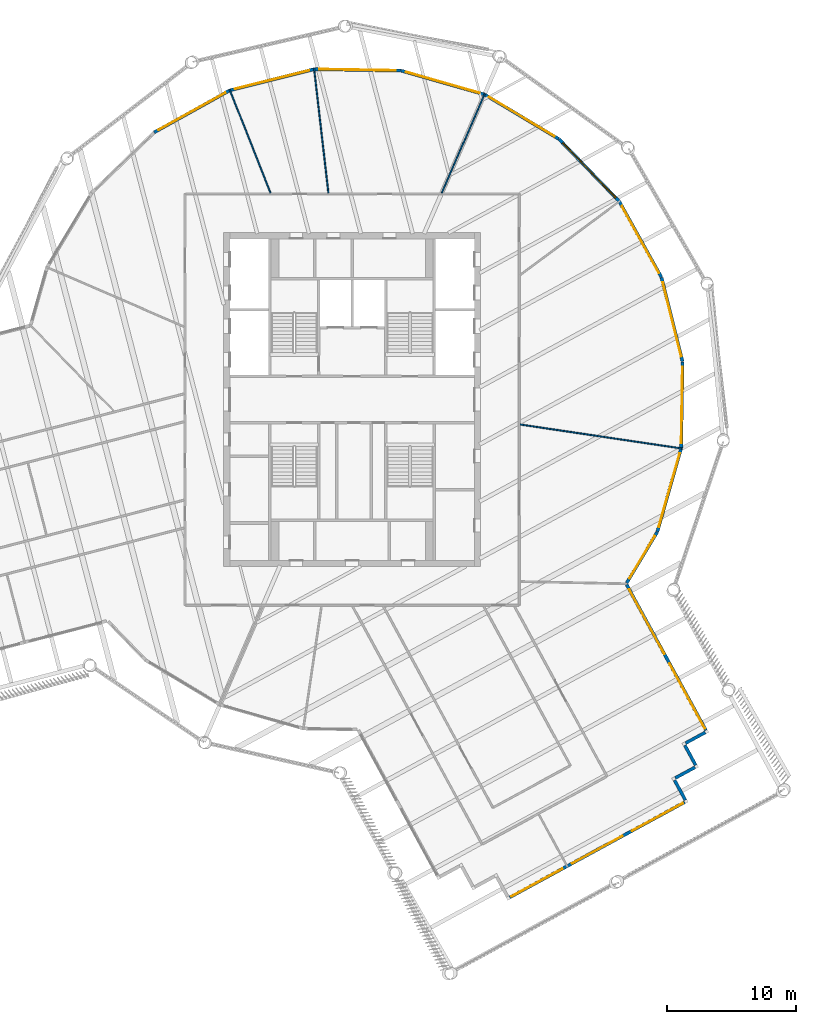
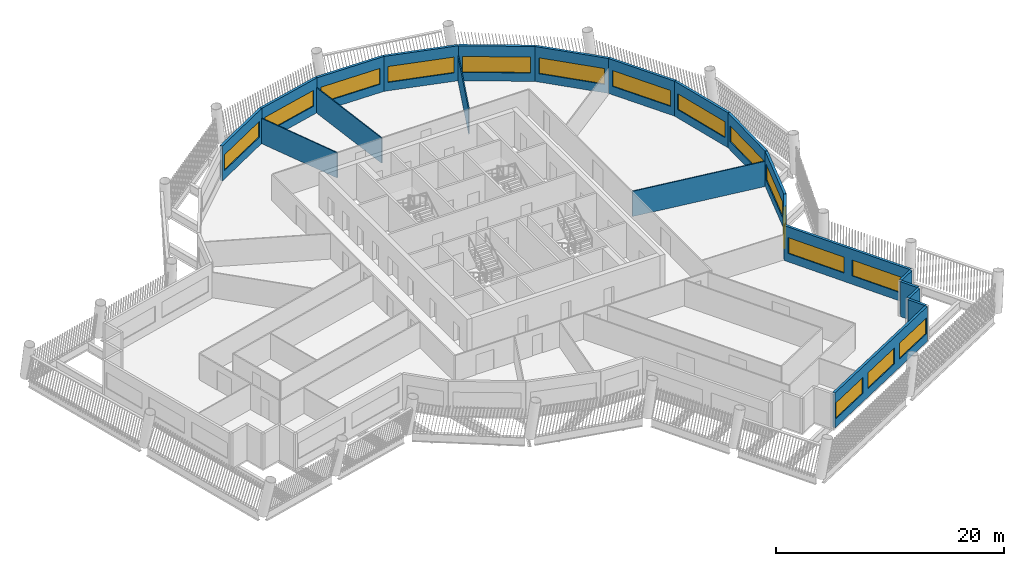
# One storey, part 6 of 14: 21 walls, 16 windows, 16 openings.
"""IFC4 building model written with IfcOpenShell, lengths in metres."""

from ifc_helpers import new_model, si_unit, direction, frame, frame_2d, origin, place, context, subcontext, project, spatial, rectangle, extrude, material, layer, layer_set, type_object, element, fill, save


model = new_model("IFC4")

# Units and contexts
model_context = context("Model", 3, precision=1e-05, world=origin(), true_north=direction((0.0, 1.0)))
body_context = subcontext(model_context, "Body", "Model", "MODEL_VIEW")
ifc_project = project(units=[si_unit("LENGTHUNIT", "METRE"), si_unit("AREAUNIT", "SQUARE_METRE"), si_unit("VOLUMEUNIT", "CUBIC_METRE"), si_unit("PLANEANGLEUNIT", "RADIAN"), si_unit("MASSUNIT", "GRAM", prefix="KILO")], contexts=[model_context])

# Site, building, storey
site_placement = place(None, origin())
site = spatial("IfcSite", under=ifc_project, at=site_placement, CompositionType="ELEMENT")
building_placement = place(site_placement, origin())
building = spatial("IfcBuilding", under=site, at=building_placement, Name="Tarsis Ring Headquarters", CompositionType="ELEMENT")
storey_placement = place(building_placement, frame((0.0, 0.0, 343.10009765625)))
storey = spatial("IfcBuildingStorey", under=building, at=storey_placement, Name="L81", CompositionType="ELEMENT", Elevation=343.10009765625)

# Walls
ifc_material_1 = material(Name="Gypsum board on steel studs", Category="steel")
ifc_layer_1 = layer(ifc_material_1, 0.10009765625)
ifc_layer_set_1 = layer_set([ifc_layer_1], Name="FL partition 100 unrated")
wall_type_1 = type_object("IfcWallType", Name="FL partition 100 unrated", PredefinedType="PARTITIONING", material=ifc_layer_set_1)
wall_1_placement = place(storey_placement, frame((13.069091796875, -1.939208984375, 0.0), z_axis=(0.0, 0.0, 1.0), x_axis=(0.989168542465, -0.146784176931, 0.0)))
element("IfcWall", 1, at=wall_1_placement, inside=storey, type_object=wall_type_1, Name="Partition PW3", PredefinedType="PARTITIONING", context=body_context, shape_type="SweptSolid", body=[
    extrude(rectangle(XDim=12.735595703125, YDim=0.10009765625, at=frame_2d((6.36767578125, 0.0))), origin(), (0.0, 0.0, 1.0), 2.699951171875),
])
wall_2_placement = place(storey_placement, frame((-2.96435546875, 25.778076171875, 0.0), z_axis=(0.0, 0.0, 1.0), x_axis=(0.11424480384, -0.99345262836, 0.0)))
element("IfcWall", 2, at=wall_2_placement, inside=storey, type_object=wall_type_1, Name="Partition PW3", PredefinedType="PARTITIONING", context=body_context, shape_type="SweptSolid", body=[
    extrude(rectangle(XDim=9.7724609375, YDim=0.10009765625, at=frame_2d((4.88623046875, 0.0))), origin(), (0.0, 0.0, 1.0), 2.699951171875),
])
wall_3_placement = place(storey_placement, frame((-9.53515625, 24.13232421875, 0.0), z_axis=(0.0, 0.0, 1.0), x_axis=(0.367476393928, -0.930032848831, 0.0)))
element("IfcWall", 3, at=wall_3_placement, inside=storey, type_object=wall_type_1, Name="Partition PW3", PredefinedType="PARTITIONING", context=body_context, shape_type="SweptSolid", body=[
    extrude(rectangle(XDim=8.6640625, YDim=0.10009765625, at=frame_2d((4.33203125, 0.0))), origin(), (0.0, 0.0, 1.0), 2.699951171875),
])
wall_4_placement = place(storey_placement, frame((6.968994140625, 16.073486328125, 0.0), z_axis=(0.0, 0.0, 1.0), x_axis=(0.397782198429, 0.917479875863, 0.0)))
element("IfcWall", 4, at=wall_4_placement, inside=storey, type_object=wall_type_1, Name="Partition PW3", PredefinedType="PARTITIONING", context=body_context, shape_type="SweptSolid", body=[
    extrude(rectangle(XDim=8.4287109375, YDim=0.10009765625, at=frame_2d((4.21435546875, 0.0))), origin(), (0.0, 0.0, 1.0), 2.699951171875),
])

# Wall, openings, windows
ifc_material_2 = material(Name="Terracotta clad insulated panel wall", Category="masonry")
ifc_layer_2 = layer(ifc_material_2, 0.25)
ifc_layer_set_2 = layer_set([ifc_layer_2], Name="Facade wall terracotta panel 250")
wall_type_2 = type_object("IfcWallType", Name="Facade wall terracotta panel 250", PredefinedType="STANDARD", material=ifc_layer_set_2)
wall_5_placement = place(storey_placement, frame((12.25634765625, -38.72802734375, 0.0), z_axis=(0.0, 0.0, 1.0), x_axis=(0.87832020185, 0.478072821881, 0.0)))
wall_5 = element("IfcWall", 5, at=wall_5_placement, inside=storey, type_object=wall_type_2, Name="External wall L81-11", PredefinedType="STANDARD", context=body_context, shape_type="SweptSolid", body=[
    extrude(rectangle(XDim=15.5, YDim=0.25, at=frame_2d((7.75, 0.0))), origin(), (0.0, 0.0, 1.0), 3.739990234375),
])
opening_1_placement = place(wall_5_placement, frame((0.166748046875, 0.0, 0.89990234375)))
opening_1 = element("IfcOpeningElement", 6, at=opening_1_placement, cuts=wall_5, Name="Opening WN04", PredefinedType="OPENING", context=body_context, shape_type="SweptSolid", body=[
    extrude(rectangle(XDim=4.5, YDim=1.699951171875, at=frame_2d((2.25, 0.85009765625))), frame((0.0, 0.135009765625, 0.0), z_axis=(0.0, -1.0, 0.0), x_axis=(1.0, 0.0, 0.0)), (0.0, 0.0, 1.0), 0.27001953125),
])
opening_2_placement = place(wall_5_placement, frame((5.5, 0.0, 0.89990234375)))
opening_2 = element("IfcOpeningElement", 7, at=opening_2_placement, cuts=wall_5, Name="Opening WN04", PredefinedType="OPENING", context=body_context, shape_type="SweptSolid", body=[
    extrude(rectangle(XDim=4.5, YDim=1.699951171875, at=frame_2d((2.25, 0.85009765625))), frame((0.0, 0.135009765625, 0.0), z_axis=(0.0, -1.0, 0.0), x_axis=(1.0, 0.0, 0.0)), (0.0, 0.0, 1.0), 0.27001953125),
])
opening_3_placement = place(wall_5_placement, frame((10.833251953125, 0.0, 0.89990234375)))
opening_3 = element("IfcOpeningElement", 8, at=opening_3_placement, cuts=wall_5, Name="Opening WN04", PredefinedType="OPENING", context=body_context, shape_type="SweptSolid", body=[
    extrude(rectangle(XDim=4.5, YDim=1.699951171875, at=frame_2d((2.25, 0.85009765625))), frame((0.0, 0.135009765625, 0.0), z_axis=(0.0, -1.0, 0.0), x_axis=(1.0, 0.0, 0.0)), (0.0, 0.0, 1.0), 0.27001953125),
])
ifc_material_3 = material(Name="Aluminium framed double glazing", Category="aluminium")
window_type_1 = type_object("IfcWindowType", Name="Facade window 4500 x 1700", PartitioningType="SINGLE_PANEL", PredefinedType="WINDOW", material=ifc_material_3)
window_1_placement = place(opening_1_placement, origin())
window_1 = element("IfcWindow", 9, at=window_1_placement, inside=storey, type_object=window_type_1, Name="Window L81-11.1", OverallHeight=1.699951171875, OverallWidth=4.5, PartitioningType="SINGLE_PANEL", PredefinedType="WINDOW", context=body_context, shape_type="SweptSolid", body=[
    extrude(rectangle(XDim=4.5, YDim=1.699951171875, at=frame_2d((2.25, 0.85009765625))), frame((0.0, 0.030029296875, 0.0), z_axis=(0.0, -1.0, 0.0), x_axis=(1.0, 0.0, 0.0)), (0.0, 0.0, 1.0), 0.06005859375),
])
fill(opening_1, window_1)
window_2_placement = place(opening_2_placement, origin())
window_2 = element("IfcWindow", 10, at=window_2_placement, inside=storey, type_object=window_type_1, Name="Window L81-11.2", OverallHeight=1.699951171875, OverallWidth=4.5, PartitioningType="SINGLE_PANEL", PredefinedType="WINDOW", context=body_context, shape_type="SweptSolid", body=[
    extrude(rectangle(XDim=4.5, YDim=1.699951171875, at=frame_2d((2.25, 0.85009765625))), frame((0.0, 0.030029296875, 0.0), z_axis=(0.0, -1.0, 0.0), x_axis=(1.0, 0.0, 0.0)), (0.0, 0.0, 1.0), 0.06005859375),
])
fill(opening_2, window_2)
window_3_placement = place(opening_3_placement, origin())
window_3 = element("IfcWindow", 11, at=window_3_placement, inside=storey, type_object=window_type_1, Name="Window L81-11.3", OverallHeight=1.699951171875, OverallWidth=4.5, PartitioningType="SINGLE_PANEL", PredefinedType="WINDOW", context=body_context, shape_type="SweptSolid", body=[
    extrude(rectangle(XDim=4.5, YDim=1.699951171875, at=frame_2d((2.25, 0.85009765625))), frame((0.0, 0.030029296875, 0.0), z_axis=(0.0, -1.0, 0.0), x_axis=(1.0, 0.0, 0.0)), (0.0, 0.0, 1.0), 0.06005859375),
])
fill(opening_3, window_3)

# Walls
for number, where, z_axis, x_axis, name in (
    (12, (25.92041015625, -31.148193359375, 0.0), (0.0, 0.0, 1.0), (-0.478079787053, 0.878316410647, 0.0), "External wall L81-12"),
    (13, (25.1337890625, -29.441650390625, 0.0), (0.0, 0.0, 1.0), (0.878316410647, 0.478079787053, 0.0), "External wall L81-13"),
    (14, (26.720947265625, -28.435546875, 0.0), (0.0, 0.0, 1.0), (-0.478079787053, 0.878316410647, 0.0), "External wall L81-14"),
):
    element("IfcWall", number, at=place(storey_placement, frame(where, z_axis=z_axis, x_axis=x_axis)), inside=storey, type_object=wall_type_2, Name=name, PredefinedType="STANDARD", context=body_context, shape_type="SweptSolid", body=[
        extrude(rectangle(XDim=1.75, YDim=0.25, at=frame_2d((0.875, 0.0))), origin(), (0.0, 0.0, 1.0), 3.739990234375),
    ])
wall_6_placement = place(storey_placement, frame((25.934326171875, -26.728759765625, 0.0), z_axis=(0.0, 0.0, 1.0), x_axis=(0.87828451974, 0.478138371588, 0.0)))
element("IfcWall", 15, at=wall_6_placement, inside=storey, type_object=wall_type_2, Name="External wall L81-15", PredefinedType="STANDARD", context=body_context, shape_type="SweptSolid", body=[
    extrude(rectangle(XDim=1.749755859375, YDim=0.25, at=frame_2d((0.875, 0.0))), origin(), (0.0, 0.0, 1.0), 3.739990234375),
])

# Wall, openings, windows
wall_7_placement = place(storey_placement, frame((27.521240234375, -25.72265625, 0.0), z_axis=(0.0, 0.0, 1.0), x_axis=(-0.47806835588, 0.878322632696, 0.0)))
wall_7 = element("IfcWall", 16, at=wall_7_placement, inside=storey, type_object=wall_type_2, Name="External wall L81-16", PredefinedType="STANDARD", context=body_context, shape_type="SweptSolid", body=[
    extrude(rectangle(XDim=12.9013671875, YDim=0.25, at=frame_2d((6.45068359375, 0.0))), origin(), (0.0, 0.0, 1.0), 3.739990234375),
])
opening_4_placement = place(wall_7_placement, frame((0.162841796875, 0.0, 0.89990234375)))
opening_4 = element("IfcOpeningElement", 17, at=opening_4_placement, cuts=wall_7, Name="Opening WN06", PredefinedType="OPENING", context=body_context, shape_type="SweptSolid", body=[
    extrude(rectangle(XDim=5.75, YDim=1.699951171875, at=frame_2d((2.875, 0.85009765625))), frame((0.0, 0.135009765625, 0.0), z_axis=(0.0, -1.0, 0.0), x_axis=(1.0, 0.0, 0.0)), (0.0, 0.0, 1.0), 0.27001953125),
])
opening_5_placement = place(wall_7_placement, frame((6.738525390625, 0.0, 0.89990234375)))
opening_5 = element("IfcOpeningElement", 18, at=opening_5_placement, cuts=wall_7, Name="Opening WN06", PredefinedType="OPENING", context=body_context, shape_type="SweptSolid", body=[
    extrude(rectangle(XDim=5.75, YDim=1.699951171875, at=frame_2d((2.875, 0.85009765625))), frame((0.0, 0.135009765625, 0.0), z_axis=(0.0, -1.0, 0.0), x_axis=(1.0, 0.0, 0.0)), (0.0, 0.0, 1.0), 0.27001953125),
])
window_type_2 = type_object("IfcWindowType", Name="Facade window 5750 x 1700", PartitioningType="SINGLE_PANEL", PredefinedType="WINDOW", material=ifc_material_3)
window_4_placement = place(opening_4_placement, origin())
window_4 = element("IfcWindow", 19, at=window_4_placement, inside=storey, type_object=window_type_2, Name="Window L81-16.1", OverallHeight=1.699951171875, OverallWidth=5.75, PartitioningType="SINGLE_PANEL", PredefinedType="WINDOW", context=body_context, shape_type="SweptSolid", body=[
    extrude(rectangle(XDim=5.75, YDim=1.699951171875, at=frame_2d((2.875, 0.85009765625))), frame((0.0, 0.030029296875, 0.0), z_axis=(0.0, -1.0, 0.0), x_axis=(1.0, 0.0, 0.0)), (0.0, 0.0, 1.0), 0.06005859375),
])
fill(opening_4, window_4)
window_5_placement = place(opening_5_placement, origin())
window_5 = element("IfcWindow", 20, at=window_5_placement, inside=storey, type_object=window_type_2, Name="Window L81-16.2", OverallHeight=1.699951171875, OverallWidth=5.75, PartitioningType="SINGLE_PANEL", PredefinedType="WINDOW", context=body_context, shape_type="SweptSolid", body=[
    extrude(rectangle(XDim=5.75, YDim=1.699951171875, at=frame_2d((2.875, 0.85009765625))), frame((0.0, 0.030029296875, 0.0), z_axis=(0.0, -1.0, 0.0), x_axis=(1.0, 0.0, 0.0)), (0.0, 0.0, 1.0), 0.06005859375),
])
fill(opening_5, window_5)

# Wall, opening, window
wall_8_placement = place(storey_placement, frame((21.35595703125, -14.26708984375, 0.0), z_axis=(0.0, 0.0, 1.0), x_axis=(0.514153619229, 0.857698114627, 0.0)))
wall_8 = element("IfcWall", 21, at=wall_8_placement, inside=storey, type_object=wall_type_2, Name="External wall L81-17", PredefinedType="STANDARD", context=body_context, shape_type="SweptSolid", body=[
    extrude(rectangle(XDim=4.617919921875, YDim=0.25, at=frame_2d((2.30908203125, 0.0))), origin(), (0.0, 0.0, 1.0), 3.739990234375),
])
opening_6_placement = place(wall_8_placement, frame((0.400390625, 0.0, 0.89990234375)))
opening_6 = element("IfcOpeningElement", 22, at=opening_6_placement, cuts=wall_8, Name="Opening WN02", PredefinedType="OPENING", context=body_context, shape_type="SweptSolid", body=[
    extrude(rectangle(XDim=3.85009765625, YDim=1.699951171875, at=frame_2d((1.925048828125, 0.85009765625))), frame((0.0, 0.135009765625, 0.0), z_axis=(0.0, -1.0, 0.0), x_axis=(1.0, 0.0, 0.0)), (0.0, 0.0, 1.0), 0.27001953125),
])
window_type_3 = type_object("IfcWindowType", Name="Facade window 3850 x 1700", PartitioningType="SINGLE_PANEL", PredefinedType="WINDOW", material=ifc_material_3)
window_6_placement = place(opening_6_placement, origin())
window_6 = element("IfcWindow", 23, at=window_6_placement, inside=storey, type_object=window_type_3, Name="Window L81-17.1", OverallHeight=1.699951171875, OverallWidth=3.85009765625, PartitioningType="SINGLE_PANEL", PredefinedType="WINDOW", context=body_context, shape_type="SweptSolid", body=[
    extrude(rectangle(XDim=3.85009765625, YDim=1.699951171875, at=frame_2d((1.925048828125, 0.85009765625))), frame((0.0, 0.030029296875, 0.0), z_axis=(0.0, -1.0, 0.0), x_axis=(1.0, 0.0, 0.0)), (0.0, 0.0, 1.0), 0.06005859375),
])
fill(opening_6, window_6)

wall_9_placement = place(storey_placement, frame((23.7431640625, -10.276611328125, 0.0), z_axis=(0.0, 0.0, 1.0), x_axis=(0.274629979223, 0.961549985447, 0.0)))
wall_9 = element("IfcWall", 24, at=wall_9_placement, inside=storey, type_object=wall_type_2, Name="External wall L81-18", PredefinedType="STANDARD", context=body_context, shape_type="SweptSolid", body=[
    extrude(rectangle(XDim=6.7216796875, YDim=0.25, at=frame_2d((3.36083984375, 0.0))), origin(), (0.0, 0.0, 1.0), 3.739990234375),
])
opening_7_placement = place(wall_9_placement, frame((0.3857421875, 0.0, 0.89990234375)))
opening_7 = element("IfcOpeningElement", 25, at=opening_7_placement, cuts=wall_9, Name="Opening WN07", PredefinedType="OPENING", context=body_context, shape_type="SweptSolid", body=[
    extrude(rectangle(XDim=5.949951171875, YDim=1.699951171875, at=frame_2d((2.97509765625, 0.85009765625))), frame((0.0, 0.135009765625, 0.0), z_axis=(0.0, -1.0, 0.0), x_axis=(1.0, 0.0, 0.0)), (0.0, 0.0, 1.0), 0.27001953125),
])
window_type_4 = type_object("IfcWindowType", Name="Facade window 5950 x 1700", PartitioningType="SINGLE_PANEL", PredefinedType="WINDOW", material=ifc_material_3)
window_7_placement = place(opening_7_placement, origin())
window_7 = element("IfcWindow", 26, at=window_7_placement, inside=storey, type_object=window_type_4, Name="Window L81-18.1", OverallHeight=1.699951171875, OverallWidth=5.949951171875, PartitioningType="SINGLE_PANEL", PredefinedType="WINDOW", context=body_context, shape_type="SweptSolid", body=[
    extrude(rectangle(XDim=5.949951171875, YDim=1.699951171875, at=frame_2d((2.97509765625, 0.85009765625))), frame((0.0, 0.030029296875, 0.0), z_axis=(0.0, -1.0, 0.0), x_axis=(1.0, 0.0, 0.0)), (0.0, 0.0, 1.0), 0.06005859375),
])
fill(opening_7, window_7)

wall_10_placement = place(storey_placement, frame((25.593994140625, -3.78125, 0.0), z_axis=(0.0, 0.0, 1.0), x_axis=(0.016417432492, 0.999865224873, 0.0)))
wall_10 = element("IfcWall", 27, at=wall_10_placement, inside=storey, type_object=wall_type_2, Name="External wall L81-19", PredefinedType="STANDARD", context=body_context, shape_type="SweptSolid", body=[
    extrude(rectangle(XDim=6.7216796875, YDim=0.25, at=frame_2d((3.36083984375, 0.0))), origin(), (0.0, 0.0, 1.0), 3.739990234375),
])
opening_8_placement = place(wall_10_placement, frame((0.3857421875, 0.0, 0.89990234375)))
opening_8 = element("IfcOpeningElement", 28, at=opening_8_placement, cuts=wall_10, Name="Opening WN07", PredefinedType="OPENING", context=body_context, shape_type="SweptSolid", body=[
    extrude(rectangle(XDim=5.949951171875, YDim=1.699951171875, at=frame_2d((2.97509765625, 0.85009765625))), frame((0.0, 0.135009765625, 0.0), z_axis=(0.0, -1.0, 0.0), x_axis=(1.0, 0.0, 0.0)), (0.0, 0.0, 1.0), 0.27001953125),
])
window_8_placement = place(opening_8_placement, origin())
window_8 = element("IfcWindow", 29, at=window_8_placement, inside=storey, type_object=window_type_4, Name="Window L81-19.1", OverallHeight=1.699951171875, OverallWidth=5.949951171875, PartitioningType="SINGLE_PANEL", PredefinedType="WINDOW", context=body_context, shape_type="SweptSolid", body=[
    extrude(rectangle(XDim=5.949951171875, YDim=1.699951171875, at=frame_2d((2.97509765625, 0.85009765625))), frame((0.0, 0.030029296875, 0.0), z_axis=(0.0, -1.0, 0.0), x_axis=(1.0, 0.0, 0.0)), (0.0, 0.0, 1.0), 0.06005859375),
])
fill(opening_8, window_8)

wall_11_placement = place(storey_placement, frame((25.700439453125, 2.971923828125, 0.0), z_axis=(0.0, 0.0, 1.0), x_axis=(-0.24292874903, 0.970044134509, 0.0)))
wall_11 = element("IfcWall", 30, at=wall_11_placement, inside=storey, type_object=wall_type_2, Name="External wall L81-20", PredefinedType="STANDARD", context=body_context, shape_type="SweptSolid", body=[
    extrude(rectangle(XDim=6.721435546875, YDim=0.25, at=frame_2d((3.36083984375, 0.0))), origin(), (0.0, 0.0, 1.0), 3.739990234375),
])
opening_9_placement = place(wall_11_placement, frame((0.3857421875, 0.0, 0.89990234375)))
opening_9 = element("IfcOpeningElement", 31, at=opening_9_placement, cuts=wall_11, Name="Opening WN07", PredefinedType="OPENING", context=body_context, shape_type="SweptSolid", body=[
    extrude(rectangle(XDim=5.949951171875, YDim=1.699951171875, at=frame_2d((2.97509765625, 0.85009765625))), frame((0.0, 0.135009765625, 0.0), z_axis=(0.0, -1.0, 0.0), x_axis=(1.0, 0.0, 0.0)), (0.0, 0.0, 1.0), 0.27001953125),
])
window_9_placement = place(opening_9_placement, origin())
window_9 = element("IfcWindow", 32, at=window_9_placement, inside=storey, type_object=window_type_4, Name="Window L81-20.1", OverallHeight=1.699951171875, OverallWidth=5.949951171875, PartitioningType="SINGLE_PANEL", PredefinedType="WINDOW", context=body_context, shape_type="SweptSolid", body=[
    extrude(rectangle(XDim=5.949951171875, YDim=1.699951171875, at=frame_2d((2.97509765625, 0.85009765625))), frame((0.0, 0.030029296875, 0.0), z_axis=(0.0, -1.0, 0.0), x_axis=(1.0, 0.0, 0.0)), (0.0, 0.0, 1.0), 0.06005859375),
])
fill(opening_9, window_9)

wall_12_placement = place(storey_placement, frame((24.0556640625, 9.5224609375, 0.0), z_axis=(0.0, 0.0, 1.0), x_axis=(-0.485741615798, 0.874102444043, 0.0)))
wall_12 = element("IfcWall", 33, at=wall_12_placement, inside=storey, type_object=wall_type_2, Name="External wall L81-21", PredefinedType="STANDARD", context=body_context, shape_type="SweptSolid", body=[
    extrude(rectangle(XDim=6.721435546875, YDim=0.25, at=frame_2d((3.36083984375, 0.0))), origin(), (0.0, 0.0, 1.0), 3.739990234375),
])
opening_10_placement = place(wall_12_placement, frame((0.3857421875, 0.0, 0.89990234375)))
opening_10 = element("IfcOpeningElement", 34, at=opening_10_placement, cuts=wall_12, Name="Opening WN07", PredefinedType="OPENING", context=body_context, shape_type="SweptSolid", body=[
    extrude(rectangle(XDim=5.949951171875, YDim=1.699951171875, at=frame_2d((2.97509765625, 0.85009765625))), frame((0.0, 0.135009765625, 0.0), z_axis=(0.0, -1.0, 0.0), x_axis=(1.0, 0.0, 0.0)), (0.0, 0.0, 1.0), 0.27001953125),
])
window_10_placement = place(opening_10_placement, origin())
window_10 = element("IfcWindow", 35, at=window_10_placement, inside=storey, type_object=window_type_4, Name="Window L81-21.1", OverallHeight=1.699951171875, OverallWidth=5.949951171875, PartitioningType="SINGLE_PANEL", PredefinedType="WINDOW", context=body_context, shape_type="SweptSolid", body=[
    extrude(rectangle(XDim=5.949951171875, YDim=1.699951171875, at=frame_2d((2.97509765625, 0.85009765625))), frame((0.0, 0.030029296875, 0.0), z_axis=(0.0, -1.0, 0.0), x_axis=(1.0, 0.0, 0.0)), (0.0, 0.0, 1.0), 0.06005859375),
])
fill(opening_10, window_10)

wall_13_placement = place(storey_placement, frame((20.771240234375, 15.424072265625, 0.0), z_axis=(0.0, 0.0, 1.0), x_axis=(-0.695406300858, 0.71861678016, 0.0)))
wall_13 = element("IfcWall", 36, at=wall_13_placement, inside=storey, type_object=wall_type_2, Name="External wall L81-22", PredefinedType="STANDARD", context=body_context, shape_type="SweptSolid", body=[
    extrude(rectangle(XDim=6.721435546875, YDim=0.25, at=frame_2d((3.36083984375, 0.0))), origin(), (0.0, 0.0, 1.0), 3.739990234375),
])
opening_11_placement = place(wall_13_placement, frame((0.3857421875, 0.0, 0.89990234375)))
opening_11 = element("IfcOpeningElement", 37, at=opening_11_placement, cuts=wall_13, Name="Opening WN07", PredefinedType="OPENING", context=body_context, shape_type="SweptSolid", body=[
    extrude(rectangle(XDim=5.949951171875, YDim=1.699951171875, at=frame_2d((2.97509765625, 0.85009765625))), frame((0.0, 0.135009765625, 0.0), z_axis=(0.0, -1.0, 0.0), x_axis=(1.0, 0.0, 0.0)), (0.0, 0.0, 1.0), 0.27001953125),
])
window_11_placement = place(opening_11_placement, origin())
window_11 = element("IfcWindow", 38, at=window_11_placement, inside=storey, type_object=window_type_4, Name="Window L81-22.1", OverallHeight=1.699951171875, OverallWidth=5.949951171875, PartitioningType="SINGLE_PANEL", PredefinedType="WINDOW", context=body_context, shape_type="SweptSolid", body=[
    extrude(rectangle(XDim=5.949951171875, YDim=1.699951171875, at=frame_2d((2.97509765625, 0.85009765625))), frame((0.0, 0.030029296875, 0.0), z_axis=(0.0, -1.0, 0.0), x_axis=(1.0, 0.0, 0.0)), (0.0, 0.0, 1.0), 0.06005859375),
])
fill(opening_11, window_11)

wall_14_placement = place(storey_placement, frame((16.071533203125, 20.2744140625, 0.0), z_axis=(0.0, 0.0, 1.0), x_axis=(-0.857707578117, 0.514137832144, 0.0)))
wall_14 = element("IfcWall", 39, at=wall_14_placement, inside=storey, type_object=wall_type_2, Name="External wall L81-23", PredefinedType="STANDARD", context=body_context, shape_type="SweptSolid", body=[
    extrude(rectangle(XDim=6.7216796875, YDim=0.25, at=frame_2d((3.36083984375, 0.0))), origin(), (0.0, 0.0, 1.0), 3.739990234375),
])
opening_12_placement = place(wall_14_placement, frame((0.3857421875, 0.0, 0.89990234375)))
opening_12 = element("IfcOpeningElement", 40, at=opening_12_placement, cuts=wall_14, Name="Opening WN07", PredefinedType="OPENING", context=body_context, shape_type="SweptSolid", body=[
    extrude(rectangle(XDim=5.949951171875, YDim=1.699951171875, at=frame_2d((2.97509765625, 0.85009765625))), frame((0.0, 0.135009765625, 0.0), z_axis=(0.0, -1.0, 0.0), x_axis=(1.0, 0.0, 0.0)), (0.0, 0.0, 1.0), 0.27001953125),
])
window_12_placement = place(opening_12_placement, origin())
window_12 = element("IfcWindow", 41, at=window_12_placement, inside=storey, type_object=window_type_4, Name="Window L81-23.1", OverallHeight=1.699951171875, OverallWidth=5.949951171875, PartitioningType="SINGLE_PANEL", PredefinedType="WINDOW", context=body_context, shape_type="SweptSolid", body=[
    extrude(rectangle(XDim=5.949951171875, YDim=1.699951171875, at=frame_2d((2.97509765625, 0.85009765625))), frame((0.0, 0.030029296875, 0.0), z_axis=(0.0, -1.0, 0.0), x_axis=(1.0, 0.0, 0.0)), (0.0, 0.0, 1.0), 0.06005859375),
])
fill(opening_12, window_12)

wall_15_placement = place(storey_placement, frame((10.276611328125, 23.7431640625, 0.0), z_axis=(0.0, 0.0, 1.0), x_axis=(-0.961549985447, 0.274629979223, 0.0)))
wall_15 = element("IfcWall", 42, at=wall_15_placement, inside=storey, type_object=wall_type_2, Name="External wall L81-24", PredefinedType="STANDARD", context=body_context, shape_type="SweptSolid", body=[
    extrude(rectangle(XDim=6.7216796875, YDim=0.25, at=frame_2d((3.36083984375, 0.0))), origin(), (0.0, 0.0, 1.0), 3.739990234375),
])
opening_13_placement = place(wall_15_placement, frame((0.3857421875, 0.0, 0.89990234375)))
opening_13 = element("IfcOpeningElement", 43, at=opening_13_placement, cuts=wall_15, Name="Opening WN07", PredefinedType="OPENING", context=body_context, shape_type="SweptSolid", body=[
    extrude(rectangle(XDim=5.949951171875, YDim=1.699951171875, at=frame_2d((2.97509765625, 0.85009765625))), frame((0.0, 0.135009765625, 0.0), z_axis=(0.0, -1.0, 0.0), x_axis=(1.0, 0.0, 0.0)), (0.0, 0.0, 1.0), 0.27001953125),
])
window_13_placement = place(opening_13_placement, origin())
window_13 = element("IfcWindow", 44, at=window_13_placement, inside=storey, type_object=window_type_4, Name="Window L81-24.1", OverallHeight=1.699951171875, OverallWidth=5.949951171875, PartitioningType="SINGLE_PANEL", PredefinedType="WINDOW", context=body_context, shape_type="SweptSolid", body=[
    extrude(rectangle(XDim=5.949951171875, YDim=1.699951171875, at=frame_2d((2.97509765625, 0.85009765625))), frame((0.0, 0.030029296875, 0.0), z_axis=(0.0, -1.0, 0.0), x_axis=(1.0, 0.0, 0.0)), (0.0, 0.0, 1.0), 0.06005859375),
])
fill(opening_13, window_13)

wall_16_placement = place(storey_placement, frame((3.78125, 25.593994140625, 0.0), z_axis=(0.0, 0.0, 1.0), x_axis=(-0.999865224873, 0.016417432492, 0.0)))
wall_16 = element("IfcWall", 45, at=wall_16_placement, inside=storey, type_object=wall_type_2, Name="External wall L81-25", PredefinedType="STANDARD", context=body_context, shape_type="SweptSolid", body=[
    extrude(rectangle(XDim=6.7216796875, YDim=0.25, at=frame_2d((3.36083984375, 0.0))), origin(), (0.0, 0.0, 1.0), 3.739990234375),
])
opening_14_placement = place(wall_16_placement, frame((0.3857421875, 0.0, 0.89990234375)))
opening_14 = element("IfcOpeningElement", 46, at=opening_14_placement, cuts=wall_16, Name="Opening WN07", PredefinedType="OPENING", context=body_context, shape_type="SweptSolid", body=[
    extrude(rectangle(XDim=5.949951171875, YDim=1.699951171875, at=frame_2d((2.97509765625, 0.85009765625))), frame((0.0, 0.135009765625, 0.0), z_axis=(0.0, -1.0, 0.0), x_axis=(1.0, 0.0, 0.0)), (0.0, 0.0, 1.0), 0.27001953125),
])
window_14_placement = place(opening_14_placement, origin())
window_14 = element("IfcWindow", 47, at=window_14_placement, inside=storey, type_object=window_type_4, Name="Window L81-25.1", OverallHeight=1.699951171875, OverallWidth=5.949951171875, PartitioningType="SINGLE_PANEL", PredefinedType="WINDOW", context=body_context, shape_type="SweptSolid", body=[
    extrude(rectangle(XDim=5.949951171875, YDim=1.699951171875, at=frame_2d((2.97509765625, 0.85009765625))), frame((0.0, 0.030029296875, 0.0), z_axis=(0.0, -1.0, 0.0), x_axis=(1.0, 0.0, 0.0)), (0.0, 0.0, 1.0), 0.06005859375),
])
fill(opening_14, window_14)

wall_17_placement = place(storey_placement, frame((-2.971923828125, 25.700439453125, 0.0), z_axis=(0.0, 0.0, 1.0), x_axis=(-0.970044134509, -0.24292874903, 0.0)))
wall_17 = element("IfcWall", 48, at=wall_17_placement, inside=storey, type_object=wall_type_2, Name="External wall L81-26", PredefinedType="STANDARD", context=body_context, shape_type="SweptSolid", body=[
    extrude(rectangle(XDim=6.721435546875, YDim=0.25, at=frame_2d((3.36083984375, 0.0))), origin(), (0.0, 0.0, 1.0), 3.739990234375),
])
opening_15_placement = place(wall_17_placement, frame((0.3857421875, 0.0, 0.89990234375)))
opening_15 = element("IfcOpeningElement", 49, at=opening_15_placement, cuts=wall_17, Name="Opening WN07", PredefinedType="OPENING", context=body_context, shape_type="SweptSolid", body=[
    extrude(rectangle(XDim=5.949951171875, YDim=1.699951171875, at=frame_2d((2.97509765625, 0.85009765625))), frame((0.0, 0.135009765625, 0.0), z_axis=(0.0, -1.0, 0.0), x_axis=(1.0, 0.0, 0.0)), (0.0, 0.0, 1.0), 0.27001953125),
])
window_15_placement = place(opening_15_placement, origin())
window_15 = element("IfcWindow", 50, at=window_15_placement, inside=storey, type_object=window_type_4, Name="Window L81-26.1", OverallHeight=1.699951171875, OverallWidth=5.949951171875, PartitioningType="SINGLE_PANEL", PredefinedType="WINDOW", context=body_context, shape_type="SweptSolid", body=[
    extrude(rectangle(XDim=5.949951171875, YDim=1.699951171875, at=frame_2d((2.97509765625, 0.85009765625))), frame((0.0, 0.030029296875, 0.0), z_axis=(0.0, -1.0, 0.0), x_axis=(1.0, 0.0, 0.0)), (0.0, 0.0, 1.0), 0.06005859375),
])
fill(opening_15, window_15)

wall_18_placement = place(storey_placement, frame((-9.5224609375, 24.0556640625, 0.0), z_axis=(0.0, 0.0, 1.0), x_axis=(-0.874102444043, -0.485741615798, 0.0)))
wall_18 = element("IfcWall", 51, at=wall_18_placement, inside=storey, type_object=wall_type_2, Name="External wall L81-27", PredefinedType="STANDARD", context=body_context, shape_type="SweptSolid", body=[
    extrude(rectangle(XDim=6.721435546875, YDim=0.25, at=frame_2d((3.36083984375, 0.0))), origin(), (0.0, 0.0, 1.0), 3.739990234375),
])
opening_16_placement = place(wall_18_placement, frame((0.3857421875, 0.0, 0.89990234375)))
opening_16 = element("IfcOpeningElement", 52, at=opening_16_placement, cuts=wall_18, Name="Opening WN07", PredefinedType="OPENING", context=body_context, shape_type="SweptSolid", body=[
    extrude(rectangle(XDim=5.949951171875, YDim=1.699951171875, at=frame_2d((2.97509765625, 0.85009765625))), frame((0.0, 0.135009765625, 0.0), z_axis=(0.0, -1.0, 0.0), x_axis=(1.0, 0.0, 0.0)), (0.0, 0.0, 1.0), 0.27001953125),
])
window_16_placement = place(opening_16_placement, origin())
window_16 = element("IfcWindow", 53, at=window_16_placement, inside=storey, type_object=window_type_4, Name="Window L81-27.1", OverallHeight=1.699951171875, OverallWidth=5.949951171875, PartitioningType="SINGLE_PANEL", PredefinedType="WINDOW", context=body_context, shape_type="SweptSolid", body=[
    extrude(rectangle(XDim=5.949951171875, YDim=1.699951171875, at=frame_2d((2.97509765625, 0.85009765625))), frame((0.0, 0.030029296875, 0.0), z_axis=(0.0, -1.0, 0.0), x_axis=(1.0, 0.0, 0.0)), (0.0, 0.0, 1.0), 0.06005859375),
])
fill(opening_16, window_16)

save(model, "model.ifc")
